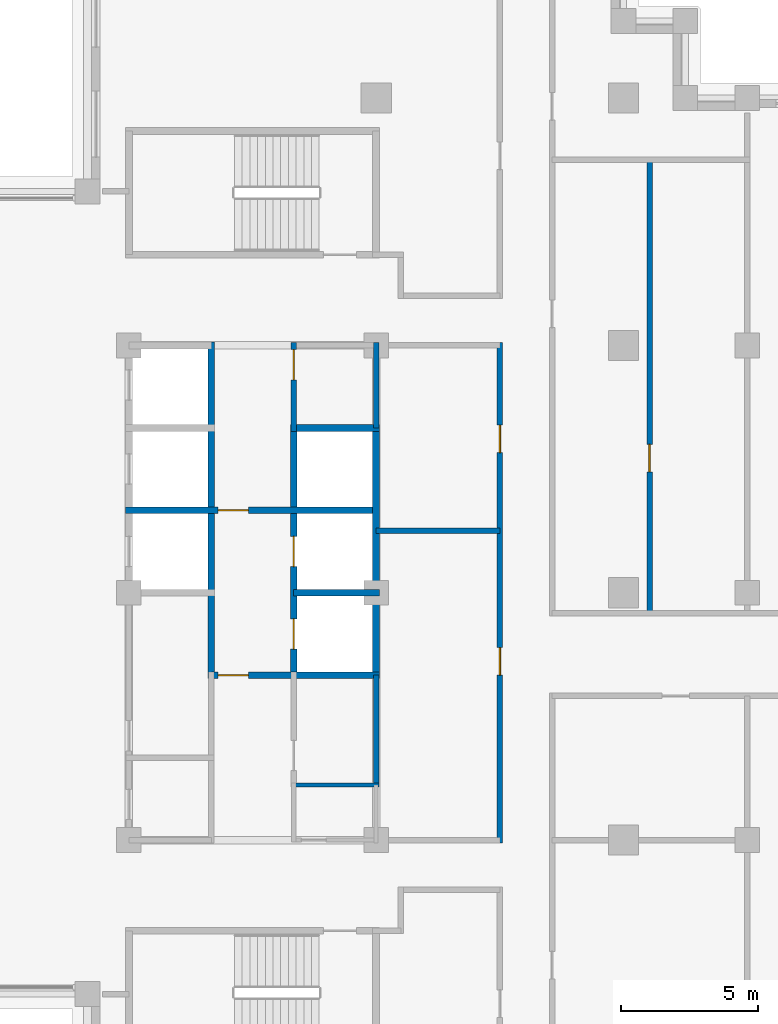
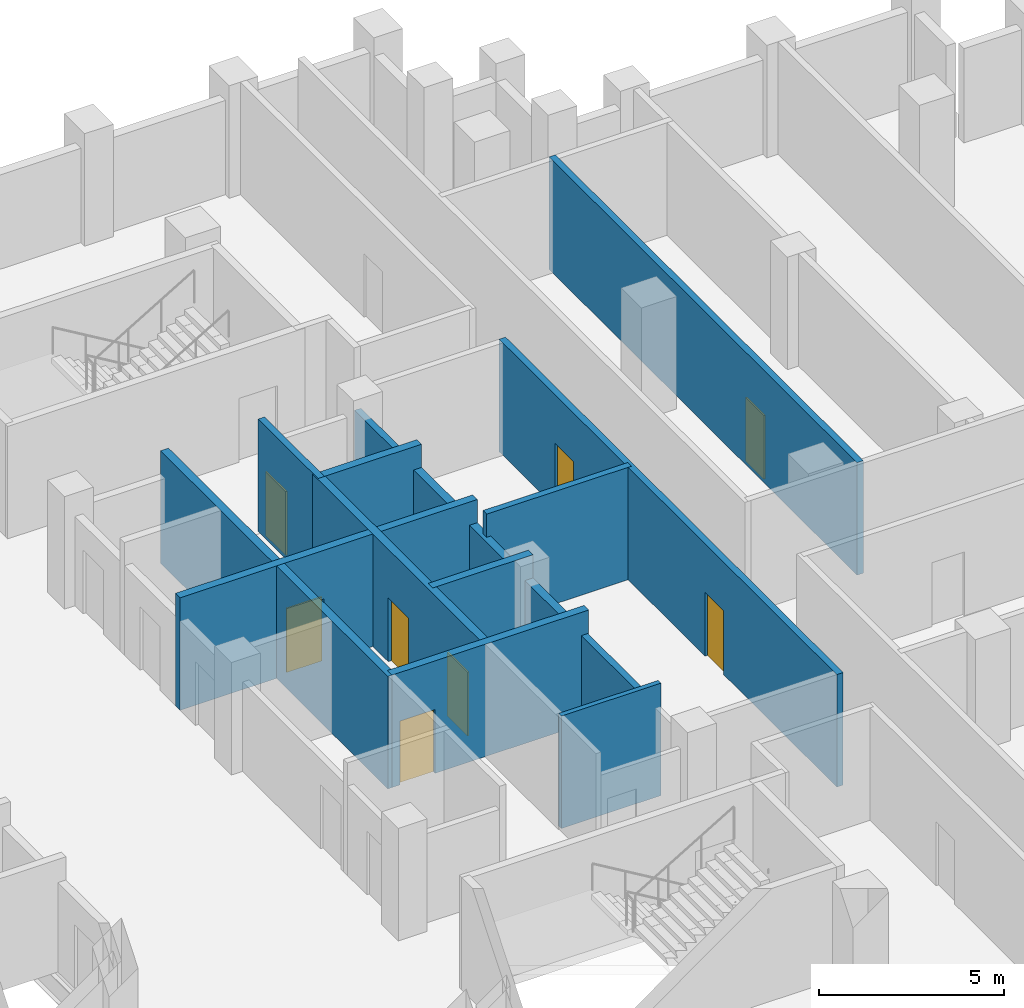
# One storey, part 9 of 16: 14 walls, 8 doors, 8 openings.
"""IFC4 building model written with IfcOpenShell, lengths in metres."""

from ifc_helpers import new_model, si_unit, direction, frame, frame_2d, origin, place, context, subcontext, project, spatial, rectangle, extrude, material, layer, layer_set, type_object, element, fill, save


model = new_model("IFC4")

# Units and contexts
model_context = context("Model", 3, precision=1e-05, world=origin(), true_north=direction((0.0, 1.0)))
body_context = subcontext(model_context, "Body", "Model", "MODEL_VIEW")
ifc_project = project(units=[si_unit("LENGTHUNIT", "METRE"), si_unit("AREAUNIT", "SQUARE_METRE"), si_unit("VOLUMEUNIT", "CUBIC_METRE"), si_unit("PLANEANGLEUNIT", "RADIAN"), si_unit("MASSUNIT", "GRAM", prefix="KILO")], contexts=[model_context])

# Site, building, storey
site_placement = place(None, origin())
site = spatial("IfcSite", under=ifc_project, at=site_placement, CompositionType="ELEMENT")
building_placement = place(site_placement, origin())
building = spatial("IfcBuilding", under=site, at=building_placement, Name="Corbelhall Arena Tower", CompositionType="ELEMENT")
storey_placement = place(building_placement, frame((0.0, 0.0, 158.0)))
storey = spatial("IfcBuildingStorey", under=building, at=storey_placement, Name="L31", CompositionType="ELEMENT", Elevation=158.0)

# Wall
ifc_material_1 = material(Name="Gypsum board on steel stud, acoustic", Category="steel")
ifc_layer_1 = layer(ifc_material_1, 0.199951171875)
ifc_layer_set_1 = layer_set([ifc_layer_1], Name="IN-W-DM200")
wall_type_1 = type_object("IfcWallType", Name="IN-W-DM200", PredefinedType="PARTITIONING", material=ifc_layer_set_1)
wall_1_placement = place(storey_placement, frame((13.5, 2.25, 0.0), z_axis=(0.0, 0.0, 1.0), x_axis=(1.0, 0.0, 0.0)))
element("IfcWall", 1, at=wall_1_placement, inside=storey, type_object=wall_type_1, Name="Partition 039", PredefinedType="PARTITIONING", context=body_context, shape_type="SweptSolid", body=[
    extrude(rectangle(XDim=4.5, YDim=0.199951171875, at=frame_2d((2.25, 0.0))), origin(), (0.0, 0.0, 1.0), 3.699951171875),
])

# Wall, openings, doors
wall_2_placement = place(storey_placement, frame((18.0, -9.10009765625, 0.0), z_axis=(0.0, 0.0, 1.0), x_axis=(0.0, 1.0, 0.0)))
wall_2 = element("IfcWall", 2, at=wall_2_placement, inside=storey, type_object=wall_type_1, Name="Partition 047", PredefinedType="PARTITIONING", context=body_context, shape_type="SweptSolid", body=[
    extrude(rectangle(XDim=18.2001953125, YDim=0.199951171875, at=frame_2d((9.10009765625, 0.0))), origin(), (0.0, 0.0, 1.0), 3.699951171875),
])
opening_1_placement = place(wall_2_placement, frame((6.10009765625, 0.0, 0.0)))
opening_1 = element("IfcOpeningElement", 3, at=opening_1_placement, cuts=wall_2, Name="Opening 08025", PredefinedType="OPENING", context=body_context, shape_type="SweptSolid", body=[
    extrude(rectangle(XDim=1.0, YDim=2.10009765625, at=frame_2d((0.5, 1.050048828125))), frame((0.0, 0.10009765625, 0.0), z_axis=(0.0, -1.0, 0.0), x_axis=(1.0, 0.0, 0.0)), (0.0, 0.0, 1.0), 0.199951171875),
])
opening_2_placement = place(wall_2_placement, frame((14.199951171875, 0.0, 0.0)))
opening_2 = element("IfcOpeningElement", 4, at=opening_2_placement, cuts=wall_2, Name="Opening 08026", PredefinedType="OPENING", context=body_context, shape_type="SweptSolid", body=[
    extrude(rectangle(XDim=1.0, YDim=2.10009765625, at=frame_2d((0.5, 1.050048828125))), frame((0.0, 0.10009765625, 0.0), z_axis=(0.0, -1.0, 0.0), x_axis=(1.0, 0.0, 0.0)), (0.0, 0.0, 1.0), 0.199951171875),
])
ifc_material_2 = material(Name="Steel door set", Category="steel")
door_type_1 = type_object("IfcDoorType", Name="IN-D-SW100", OperationType="NOTDEFINED", PredefinedType="DOOR", material=ifc_material_2)
door_1_placement = place(opening_1_placement, origin())
door_1 = element("IfcDoor", 5, at=door_1_placement, inside=storey, type_object=door_type_1, Name="Door 025", OperationType="SINGLE_SWING_RIGHT", OverallHeight=2.10009765625, OverallWidth=1.0, PredefinedType="DOOR", context=body_context, shape_type="SweptSolid", body=[
    extrude(rectangle(XDim=1.0, YDim=2.10009765625, at=frame_2d((0.5, 1.050048828125))), frame((0.0, 0.02490234375, 0.0), z_axis=(0.0, -1.0, 0.0), x_axis=(1.0, 0.0, 0.0)), (0.0, 0.0, 1.0), 0.050048828125),
])
fill(opening_1, door_1)
door_2_placement = place(opening_2_placement, origin())
door_2 = element("IfcDoor", 6, at=door_2_placement, inside=storey, type_object=door_type_1, Name="Door 026", OperationType="SINGLE_SWING_LEFT", OverallHeight=2.10009765625, OverallWidth=1.0, PredefinedType="DOOR", context=body_context, shape_type="SweptSolid", body=[
    extrude(rectangle(XDim=1.0, YDim=2.10009765625, at=frame_2d((0.5, 1.050048828125))), frame((0.0, 0.02490234375, 0.0), z_axis=(0.0, -1.0, 0.0), x_axis=(1.0, 0.0, 0.0)), (0.0, 0.0, 1.0), 0.050048828125),
])
fill(opening_2, door_2)

# Wall, opening, door
wall_3_placement = place(storey_placement, frame((23.449951171875, 15.85009765625, 0.0), z_axis=(0.0, 0.0, 1.0), x_axis=(0.0, -1.0, 0.0)))
wall_3 = element("IfcWall", 7, at=wall_3_placement, inside=storey, type_object=wall_type_1, Name="Partition 055", PredefinedType="PARTITIONING", context=body_context, shape_type="SweptSolid", body=[
    extrude(rectangle(XDim=16.60009765625, YDim=0.199951171875, at=frame_2d((8.300048828125, 0.0))), origin(), (0.0, 0.0, 1.0), 3.699951171875),
])
opening_3_placement = place(wall_3_placement, frame((10.449951171875, 0.0, 0.0)))
opening_3 = element("IfcOpeningElement", 8, at=opening_3_placement, cuts=wall_3, Name="Opening 08037", PredefinedType="OPENING", context=body_context, shape_type="SweptSolid", body=[
    extrude(rectangle(XDim=1.0, YDim=2.10009765625, at=frame_2d((0.5, 1.050048828125))), frame((0.0, 0.10009765625, 0.0), z_axis=(0.0, -1.0, 0.0), x_axis=(1.0, 0.0, 0.0)), (0.0, 0.0, 1.0), 0.199951171875),
])
door_3_placement = place(opening_3_placement, origin())
door_3 = element("IfcDoor", 9, at=door_3_placement, inside=storey, type_object=door_type_1, Name="Door 037", OperationType="SINGLE_SWING_RIGHT", OverallHeight=2.10009765625, OverallWidth=1.0, PredefinedType="DOOR", context=body_context, shape_type="SweptSolid", body=[
    extrude(rectangle(XDim=1.0, YDim=2.10009765625, at=frame_2d((0.5, 1.050048828125))), frame((0.0, 0.02490234375, 0.0), z_axis=(0.0, -1.0, 0.0), x_axis=(1.0, 0.0, 0.0)), (0.0, 0.0, 1.0), 0.050048828125),
])
fill(opening_3, door_3)

ifc_material_3 = material(Name="Concrete block wall", Category="concrete")
ifc_layer_2 = layer(ifc_material_3, 0.199951171875)
ifc_layer_set_2 = layer_set([ifc_layer_2], Name="IN-W-RS200")
wall_type_2 = type_object("IfcWallType", Name="IN-W-RS200", PredefinedType="SOLIDWALL", material=ifc_layer_set_2)
wall_4_placement = place(storey_placement, frame((10.5, 9.10009765625, 0.0), z_axis=(0.0, 0.0, 1.0), x_axis=(0.0, -1.0, 0.0)))
wall_4 = element("IfcWall", 10, at=wall_4_placement, inside=storey, type_object=wall_type_2, Name="Partition 077", PredefinedType="SOLIDWALL", context=body_context, shape_type="SweptSolid", body=[
    extrude(rectangle(XDim=3.22509765625, YDim=0.199951171875, at=frame_2d((1.612548828125, 0.0))), origin(), (0.0, 0.0, 1.0), 3.699951171875),
])
opening_4_placement = place(wall_4_placement, frame((0.25, 0.0, 0.0)))
opening_4 = element("IfcOpeningElement", 11, at=opening_4_placement, cuts=wall_4, Name="Opening 08014", PredefinedType="OPENING", context=body_context, shape_type="SweptSolid", body=[
    extrude(rectangle(XDim=1.10009765625, YDim=2.10009765625, at=frame_2d((0.550048828125, 1.050048828125))), frame((0.0, 0.10009765625, 0.0), z_axis=(0.0, -1.0, 0.0), x_axis=(1.0, 0.0, 0.0)), (0.0, 0.0, 1.0), 0.199951171875),
])
door_type_2 = type_object("IfcDoorType", Name="IN-D-FD110", OperationType="NOTDEFINED", PredefinedType="DOOR", material=ifc_material_2)
door_4_placement = place(opening_4_placement, origin())
door_4 = element("IfcDoor", 12, at=door_4_placement, inside=storey, type_object=door_type_2, Name="Door 014", OperationType="SINGLE_SWING_LEFT", OverallHeight=2.10009765625, OverallWidth=1.10009765625, PredefinedType="DOOR", context=body_context, shape_type="SweptSolid", body=[
    extrude(rectangle(XDim=1.10009765625, YDim=2.10009765625, at=frame_2d((0.550048828125, 1.050048828125))), frame((0.0, 0.02490234375, 0.0), z_axis=(0.0, -1.0, 0.0), x_axis=(1.0, 0.0, 0.0)), (0.0, 0.0, 1.0), 0.050048828125),
])
fill(opening_4, door_4)

# Walls
ifc_layer_3 = layer(ifc_material_3, 0.199951171875)
ifc_layer_set_3 = layer_set([ifc_layer_3], Name="IN-W-RS200 under beam 762 mm")
wall_type_3 = type_object("IfcWallType", Name="IN-W-RS200 under beam 762 mm", PredefinedType="SOLIDWALL", material=ifc_layer_set_3)
wall_5_placement = place(storey_placement, frame((13.5, -3.0, 0.0), z_axis=(0.0, 0.0, 1.0), x_axis=(0.0, -1.0, 0.0)))
element("IfcWall", 13, at=wall_5_placement, inside=storey, type_object=wall_type_3, Name="Partition 078", PredefinedType="SOLIDWALL", context=body_context, shape_type="SweptSolid", body=[
    extrude(rectangle(XDim=4.0, YDim=0.199951171875, at=frame_2d((2.0, 0.0))), origin(), (0.0, 0.0, 1.0), 2.93798828125),
])
wall_6_placement = place(storey_placement, frame((13.5, 9.10009765625, 0.0), z_axis=(0.0, 0.0, 1.0), x_axis=(0.0, -1.0, 0.0)))
element("IfcWall", 14, at=wall_6_placement, inside=storey, type_object=wall_type_3, Name="Partition 079", PredefinedType="SOLIDWALL", context=body_context, shape_type="SweptSolid", body=[
    extrude(rectangle(XDim=3.10009765625, YDim=0.199951171875, at=frame_2d((1.550048828125, 0.0))), origin(), (0.0, 0.0, 1.0), 2.93798828125),
])

# Wall, opening, door
ifc_material_4 = material(Name="Concrete C40/50", Category="concrete")
ifc_layer_4 = layer(ifc_material_4, 0.25)
ifc_layer_set_4 = layer_set([ifc_layer_4], Name="IN-W-SH250")
wall_type_4 = type_object("IfcWallType", Name="IN-W-SH250", PredefinedType="SOLIDWALL", material=ifc_layer_set_4)
wall_7_placement = place(storey_placement, frame((4.375, 3.0, 0.0), z_axis=(0.0, 0.0, 1.0), x_axis=(1.0, 0.0, 0.0)))
wall_7 = element("IfcWall", 15, at=wall_7_placement, inside=storey, type_object=wall_type_4, Name="Shaft wall 091", PredefinedType="SOLIDWALL", context=body_context, shape_type="SweptSolid", body=[
    extrude(rectangle(XDim=9.25, YDim=0.25, at=frame_2d((4.625, 0.0))), origin(), (0.0, 0.0, 1.0), 3.699951171875),
])
opening_5_placement = place(wall_7_placement, frame((3.375, 0.0, 0.0)))
opening_5 = element("IfcOpeningElement", 16, at=opening_5_placement, cuts=wall_7, Name="Opening 08011", PredefinedType="OPENING", context=body_context, shape_type="SweptSolid", body=[
    extrude(rectangle(XDim=1.10009765625, YDim=2.10009765625, at=frame_2d((0.550048828125, 1.050048828125))), frame((0.0, 0.125, 0.0), z_axis=(0.0, -1.0, 0.0), x_axis=(1.0, 0.0, 0.0)), (0.0, 0.0, 1.0), 0.25),
])
door_5_placement = place(opening_5_placement, origin())
door_5 = element("IfcDoor", 17, at=door_5_placement, inside=storey, type_object=door_type_2, Name="Door 011", OperationType="SINGLE_SWING_RIGHT", OverallHeight=2.10009765625, OverallWidth=1.10009765625, PredefinedType="DOOR", context=body_context, shape_type="SweptSolid", body=[
    extrude(rectangle(XDim=1.10009765625, YDim=2.10009765625, at=frame_2d((0.550048828125, 1.050048828125))), frame((0.0, 0.02490234375, 0.0), z_axis=(0.0, -1.0, 0.0), x_axis=(1.0, 0.0, 0.0)), (0.0, 0.0, 1.0), 0.050048828125),
])
fill(opening_5, door_5)

wall_8_placement = place(storey_placement, frame((7.5, -3.0, 0.0), z_axis=(0.0, 0.0, 1.0), x_axis=(1.0, 0.0, 0.0)))
wall_8 = element("IfcWall", 18, at=wall_8_placement, inside=storey, type_object=wall_type_4, Name="Shaft wall 095", PredefinedType="SOLIDWALL", context=body_context, shape_type="SweptSolid", body=[
    extrude(rectangle(XDim=6.125, YDim=0.25, at=frame_2d((3.0625, 0.0))), origin(), (0.0, 0.0, 1.0), 3.699951171875),
])
opening_6_placement = place(wall_8_placement, frame((0.25, 0.0, 0.0)))
opening_6 = element("IfcOpeningElement", 19, at=opening_6_placement, cuts=wall_8, Name="Opening 08010", PredefinedType="OPENING", context=body_context, shape_type="SweptSolid", body=[
    extrude(rectangle(XDim=1.10009765625, YDim=2.10009765625, at=frame_2d((0.550048828125, 1.050048828125))), frame((0.0, 0.125, 0.0), z_axis=(0.0, -1.0, 0.0), x_axis=(1.0, 0.0, 0.0)), (0.0, 0.0, 1.0), 0.25),
])
door_6_placement = place(opening_6_placement, origin())
door_6 = element("IfcDoor", 20, at=door_6_placement, inside=storey, type_object=door_type_2, Name="Door 010", OperationType="SINGLE_SWING_LEFT", OverallHeight=2.10009765625, OverallWidth=1.10009765625, PredefinedType="DOOR", context=body_context, shape_type="SweptSolid", body=[
    extrude(rectangle(XDim=1.10009765625, YDim=2.10009765625, at=frame_2d((0.550048828125, 1.050048828125))), frame((0.0, 0.02490234375, 0.0), z_axis=(0.0, -1.0, 0.0), x_axis=(1.0, 0.0, 0.0)), (0.0, 0.0, 1.0), 0.050048828125),
])
fill(opening_6, door_6)

# Walls
wall_9_placement = place(storey_placement, frame((7.5, 9.125, 0.0), z_axis=(0.0, 0.0, 1.0), x_axis=(0.0, -1.0, 0.0)))
element("IfcWall", 21, at=wall_9_placement, inside=storey, type_object=wall_type_4, Name="Shaft wall 096", PredefinedType="SOLIDWALL", context=body_context, shape_type="SweptSolid", body=[
    extrude(rectangle(XDim=12.25, YDim=0.25, at=frame_2d((6.125, 0.0))), origin(), (0.0, 0.0, 1.0), 3.699951171875),
])
wall_10_placement = place(storey_placement, frame((10.5, 0.0, 0.0), z_axis=(0.0, 0.0, 1.0), x_axis=(1.0, 0.0, 0.0)))
element("IfcWall", 22, at=wall_10_placement, inside=storey, type_object=wall_type_4, Name="Shaft wall 097", PredefinedType="SOLIDWALL", context=body_context, shape_type="SweptSolid", body=[
    extrude(rectangle(XDim=3.125, YDim=0.25, at=frame_2d((1.5625, 0.0))), origin(), (0.0, 0.0, 1.0), 3.699951171875),
])

# Wall, openings, doors
wall_11_placement = place(storey_placement, frame((10.5, 6.125, 0.0), z_axis=(0.0, 0.0, 1.0), x_axis=(0.0, -1.0, 0.0)))
wall_11 = element("IfcWall", 23, at=wall_11_placement, inside=storey, type_object=wall_type_4, Name="Shaft wall 098", PredefinedType="SOLIDWALL", context=body_context, shape_type="SweptSolid", body=[
    extrude(rectangle(XDim=9.25, YDim=0.25, at=frame_2d((4.625, 0.0))), origin(), (0.0, 0.0, 1.0), 3.699951171875),
])
opening_7_placement = place(wall_11_placement, frame((7.074951171875, 0.0, 0.0)))
opening_7 = element("IfcOpeningElement", 24, at=opening_7_placement, cuts=wall_11, Name="Opening LD", PredefinedType="OPENING", context=body_context, shape_type="SweptSolid", body=[
    extrude(rectangle(XDim=1.10009765625, YDim=2.10009765625, at=frame_2d((0.550048828125, 1.050048828125))), frame((0.0, 0.125, 0.0), z_axis=(0.0, -1.0, 0.0), x_axis=(1.0, 0.0, 0.0)), (0.0, 0.0, 1.0), 0.25),
])
opening_8_placement = place(wall_11_placement, frame((4.074951171875, 0.0, 0.0)))
opening_8 = element("IfcOpeningElement", 25, at=opening_8_placement, cuts=wall_11, Name="Opening LD", PredefinedType="OPENING", context=body_context, shape_type="SweptSolid", body=[
    extrude(rectangle(XDim=1.10009765625, YDim=2.10009765625, at=frame_2d((0.550048828125, 1.050048828125))), frame((0.0, 0.125, 0.0), z_axis=(0.0, -1.0, 0.0), x_axis=(1.0, 0.0, 0.0)), (0.0, 0.0, 1.0), 0.25),
])
door_type_3 = type_object("IfcDoorType", Name="IN-D-LD110", OperationType="NOTDEFINED", PredefinedType="DOOR", material=ifc_material_2)
door_7_placement = place(opening_7_placement, origin())
door_7 = element("IfcDoor", 26, at=door_7_placement, inside=storey, type_object=door_type_3, Name="Landing door E3", OperationType="SLIDING_TO_LEFT", OverallHeight=2.10009765625, OverallWidth=1.10009765625, PredefinedType="DOOR", context=body_context, shape_type="SweptSolid", body=[
    extrude(rectangle(XDim=1.10009765625, YDim=2.10009765625, at=frame_2d((0.550048828125, 1.050048828125))), frame((0.0, 0.02490234375, 0.0), z_axis=(0.0, -1.0, 0.0), x_axis=(1.0, 0.0, 0.0)), (0.0, 0.0, 1.0), 0.050048828125),
])
fill(opening_7, door_7)
door_8_placement = place(opening_8_placement, origin())
door_8 = element("IfcDoor", 27, at=door_8_placement, inside=storey, type_object=door_type_3, Name="Landing door E4", OperationType="SLIDING_TO_LEFT", OverallHeight=2.10009765625, OverallWidth=1.10009765625, PredefinedType="DOOR", context=body_context, shape_type="SweptSolid", body=[
    extrude(rectangle(XDim=1.10009765625, YDim=2.10009765625, at=frame_2d((0.550048828125, 1.050048828125))), frame((0.0, 0.02490234375, 0.0), z_axis=(0.0, -1.0, 0.0), x_axis=(1.0, 0.0, 0.0)), (0.0, 0.0, 1.0), 0.050048828125),
])
fill(opening_8, door_8)

# Walls
wall_12_placement = place(storey_placement, frame((10.5, 6.0, 0.0), z_axis=(0.0, 0.0, 1.0), x_axis=(1.0, 0.0, 0.0)))
element("IfcWall", 28, at=wall_12_placement, inside=storey, type_object=wall_type_4, Name="Shaft wall 099", PredefinedType="SOLIDWALL", context=body_context, shape_type="SweptSolid", body=[
    extrude(rectangle(XDim=3.125, YDim=0.25, at=frame_2d((1.5625, 0.0))), origin(), (0.0, 0.0, 1.0), 3.699951171875),
])
ifc_layer_5 = layer(ifc_material_4, 0.25)
ifc_layer_set_5 = layer_set([ifc_layer_5], Name="IN-W-SH250 under beam 762 mm")
wall_type_5 = type_object("IfcWallType", Name="IN-W-SH250 under beam 762 mm", PredefinedType="SOLIDWALL", material=ifc_layer_set_5)
wall_13_placement = place(storey_placement, frame((13.5, 6.0, 0.0), z_axis=(0.0, 0.0, 1.0), x_axis=(0.0, -1.0, 0.0)))
element("IfcWall", 29, at=wall_13_placement, inside=storey, type_object=wall_type_5, Name="Shaft wall 100", PredefinedType="SOLIDWALL", context=body_context, shape_type="SweptSolid", body=[
    extrude(rectangle(XDim=9.0, YDim=0.25, at=frame_2d((4.5, 0.0))), origin(), (0.0, 0.0, 1.0), 2.93798828125),
])
ifc_material_5 = material(Name="Gypsum board on steel stud, moisture resistant", Category="steel")
ifc_layer_6 = layer(ifc_material_5, 0.14990234375)
ifc_layer_set_6 = layer_set([ifc_layer_6], Name="IN-W-WC150")
wall_type_6 = type_object("IfcWallType", Name="IN-W-WC150", PredefinedType="PARTITIONING", material=ifc_layer_set_6)
wall_14_placement = place(storey_placement, frame((10.5, -7.0, 0.0), z_axis=(0.0, 0.0, 1.0), x_axis=(1.0, 0.0, 0.0)))
element("IfcWall", 30, at=wall_14_placement, inside=storey, type_object=wall_type_6, Name="Partition 135", PredefinedType="PARTITIONING", context=body_context, shape_type="SweptSolid", body=[
    extrude(rectangle(XDim=3.10009765625, YDim=0.14990234375, at=frame_2d((1.550048828125, 0.0))), origin(), (0.0, 0.0, 1.0), 3.699951171875),
])

save(model, "model.ifc")
